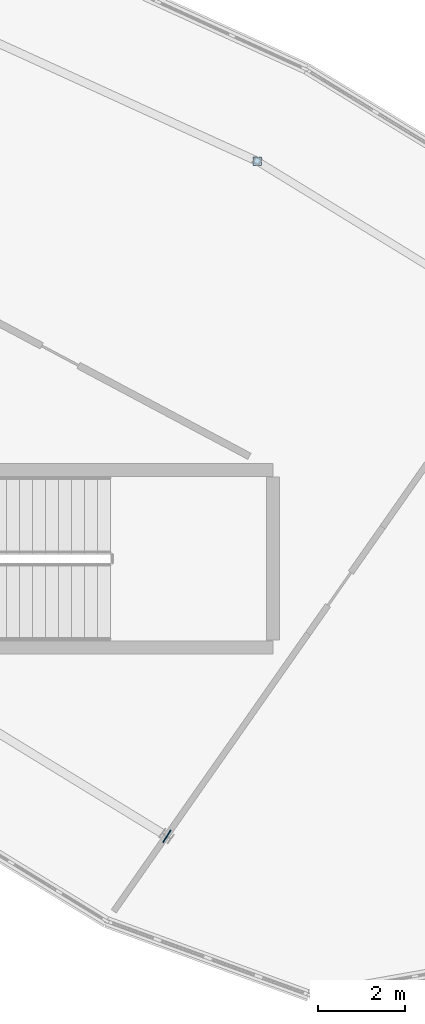
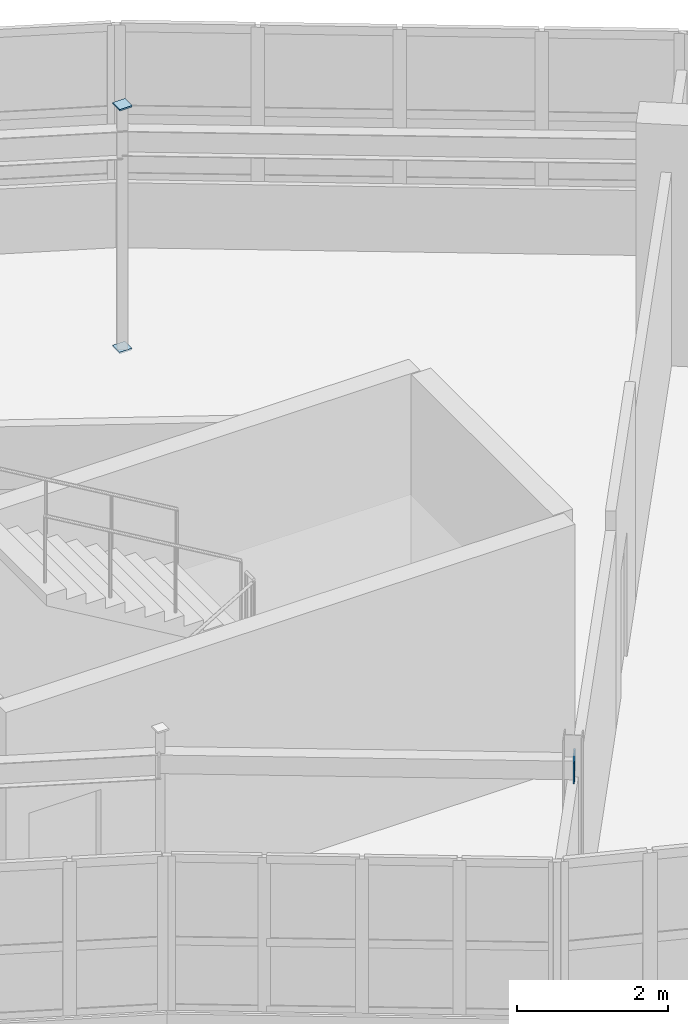
# One storey, part 52 of 60: 3 plates.
"""IFC4 building model written with IfcOpenShell, lengths in metres."""

from ifc_helpers import new_model, si_unit, direction, frame, origin, origin_2d, place, context, subcontext, project, spatial, rectangle, extrude, material, layer, layer_set, type_object, element, save


model = new_model("IFC4")

# Units and contexts
model_context = context("Model", 3, precision=1e-05, world=origin(), true_north=direction((0.0, 1.0)))
body_context = subcontext(model_context, "Body", "Model", "MODEL_VIEW")
ifc_project = project(units=[si_unit("LENGTHUNIT", "METRE"), si_unit("AREAUNIT", "SQUARE_METRE"), si_unit("VOLUMEUNIT", "CUBIC_METRE"), si_unit("PLANEANGLEUNIT", "RADIAN"), si_unit("MASSUNIT", "GRAM", prefix="KILO")], contexts=[model_context])

# Site, building, storey
site_placement = place(None, origin())
site = spatial("IfcSite", under=ifc_project, at=site_placement, CompositionType="ELEMENT")
building_placement = place(site_placement, origin())
building = spatial("IfcBuilding", under=site, at=building_placement, Name="Tarnwether General Hospital", CompositionType="ELEMENT")
storey_placement = place(building_placement, frame((0.0, 0.0, 26.10009765625)))
storey = spatial("IfcBuildingStorey", under=building, at=storey_placement, Name="L06", CompositionType="ELEMENT", Elevation=26.10009765625)

# Plates
ifc_material = material(Name="Steel Grade 350 (350 MPa)", Category="steel")
ifc_layer = layer(ifc_material, 0.02490234375)
ifc_layer_set = layer_set([ifc_layer], Name="Steel Grade 350 (350 MPa)")
plate_type = type_object("IfcPlateType", Name="PT-GUS2", PredefinedType="USERDEFINED", material=ifc_layer_set)
for number, where, z_axis, x_axis, name in (
    (1, (119.79296875, 115.27001953125, -0.025146484375), (0.0, 0.0, 1.0), (1.0, 0.0, 0.0), "Hollow Section Welded End Cap Plate 0585"),
    (2, (119.79296875, 115.27001953125, 3.89990234375), (0.0, 0.0, 1.0), (1.0, 0.0, 0.0), "Hollow Section Welded End Cap Plate 0586"),
):
    element("IfcPlate", number, at=place(storey_placement, frame(where, z_axis=z_axis, x_axis=x_axis)), inside=storey, type_object=plate_type, Name=name, ObjectType="GUSSET", PredefinedType="USERDEFINED", context=body_context, shape_type="SweptSolid", body=[
        extrude(rectangle(XDim=0.18994140625, YDim=0.18994140625, at=origin_2d()), origin(), (0.0, 0.0, 1.0), 0.02490234375),
    ])
plate_placement = place(storey_placement, frame((117.706787109375, 99.69140625, 3.22509765625), z_axis=(0.0, 0.0, 1.0), x_axis=(0.852649283545, -0.522483683258, 0.0)))
element("IfcPlate", 3, at=plate_placement, inside=storey, type_object=plate_type, Name="Hollow Section Welded End Cap Plate 1076", ObjectType="GUSSET", PredefinedType="USERDEFINED", context=body_context, shape_type="SweptSolid", body=[
    extrude(rectangle(XDim=0.02490234375, YDim=0.340087890625, at=origin_2d()), origin(), (0.0, 0.0, 1.0), 0.340087890625),
])

save(model, "model.ifc")
